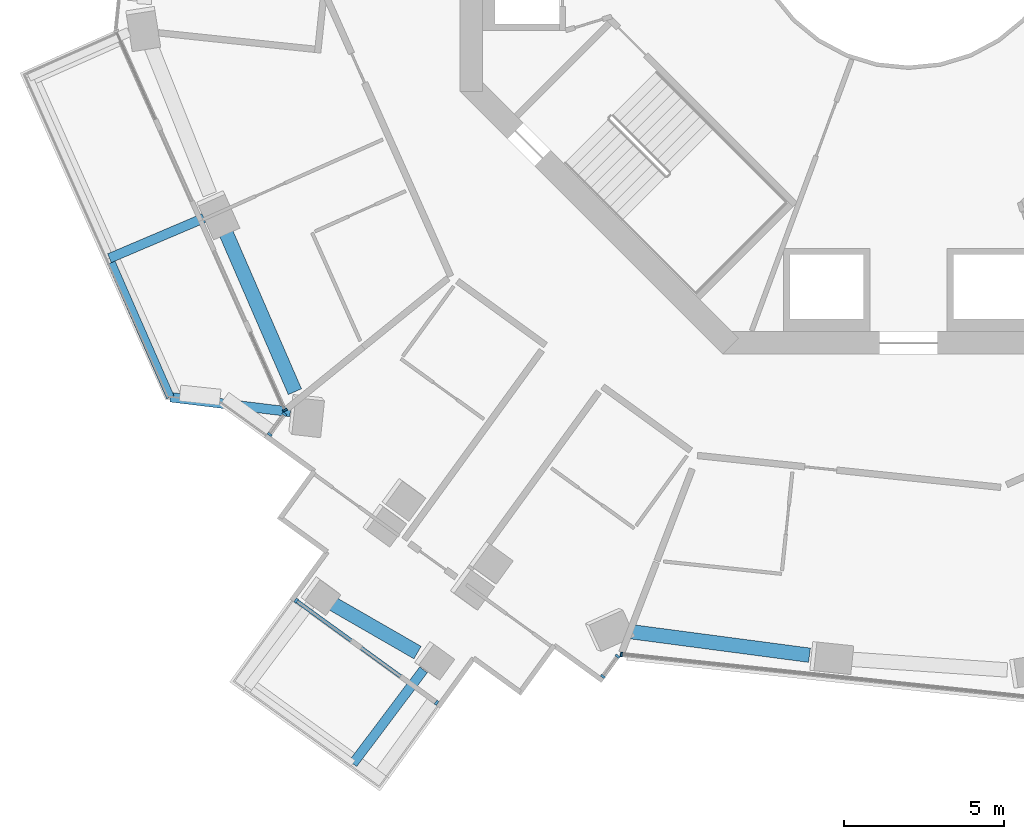
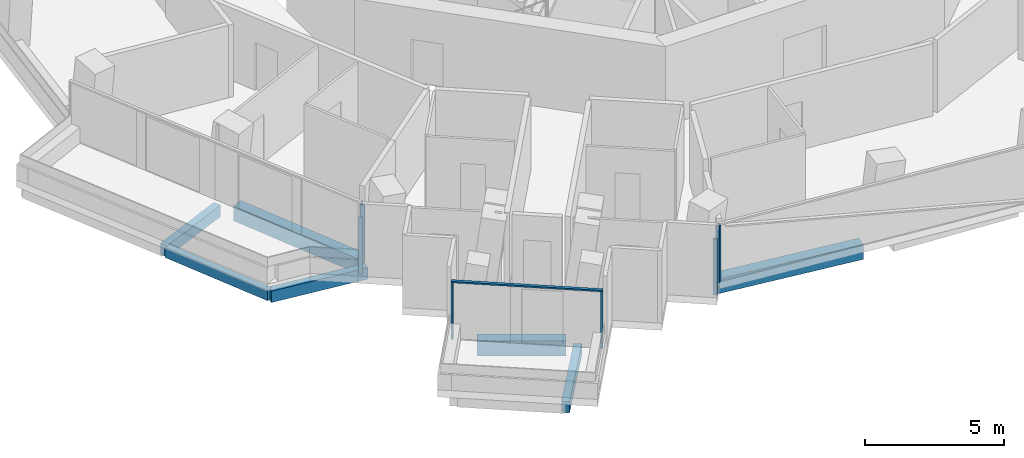
# One storey, part 2 of 23: 9 members, 7 beams, 5 elements without a shape of their own.
"""IFC4 building model written with IfcOpenShell, lengths in metres."""

from ifc_helpers import new_model, si_unit, direction, frame, origin, origin_2d, place, context, subcontext, project, spatial, rectangle, extrude, material, layer, layer_set, material_profile, profile_set, type_object, element, aggregate, save


model = new_model("IFC4")

# Units and contexts
model_context = context("Model", 3, precision=1e-05, world=origin(), true_north=direction((0.0, 1.0)))
body_context = subcontext(model_context, "Body", "Model", "MODEL_VIEW")
ifc_project = project(units=[si_unit("LENGTHUNIT", "METRE"), si_unit("AREAUNIT", "SQUARE_METRE"), si_unit("VOLUMEUNIT", "CUBIC_METRE"), si_unit("PLANEANGLEUNIT", "RADIAN"), si_unit("MASSUNIT", "GRAM", prefix="KILO")], contexts=[model_context])

# Site, building, storey
site_placement = place(None, origin())
site = spatial("IfcSite", under=ifc_project, at=site_placement, CompositionType="ELEMENT")
building_placement = place(site_placement, origin())
building = spatial("IfcBuilding", under=site, at=building_placement, Name="Verdalira Terraces Hotel", CompositionType="ELEMENT")
storey_placement = place(building_placement, frame((0.0, 0.0, 133.0)))
storey = spatial("IfcBuildingStorey", under=building, at=storey_placement, Name="L31", CompositionType="ELEMENT", Elevation=133.0)

# Beams
ifc_material_1 = material(Name="Concrete C40", Category="concrete")
ifc_material_profile_1 = material_profile(ifc_material_1, rectangle(XDim=0.300049, YDim=0.5, at=origin_2d()), Name="RC 300X500")
ifc_profile_set_1 = profile_set([ifc_material_profile_1], Name="Concrete C40")
beam_type_1 = type_object("IfcBeamType", Name="Balcony cantilever beam RC 300X500 C40", PredefinedType="BEAM", material=ifc_profile_set_1)
beam_1_placement = place(storey_placement, frame((-21.991211, -9.756104, -0.560059), z_axis=(-0.920226543, -0.39138614, 0.0), x_axis=(0.39138614, -0.920226543, 0.0)))
element("IfcBeam", 1, at=beam_1_placement, inside=storey, type_object=beam_type_1, Name="Balcony cantilever beam R13-2", PredefinedType="BEAM", context=body_context, shape_type="SweptSolid", body=[
    extrude(rectangle(XDim=0.300049, YDim=0.5, at=origin_2d()), origin(), (0.0, 0.0, 1.0), 3.200684),
])
beam_2_placement = place(storey_placement, frame((-19.29126, -15.802979, -0.560059), z_axis=(-0.99263013, 0.121183433, 0.0), x_axis=(-0.121183433, -0.99263013, 0.0)))
element("IfcBeam", 2, at=beam_2_placement, inside=storey, type_object=beam_type_1, Name="Balcony cantilever beam R13-3", PredefinedType="BEAM", context=body_context, shape_type="SweptSolid", body=[
    extrude(rectangle(XDim=0.300049, YDim=0.5, at=origin_2d()), origin(), (0.0, 0.0, 1.0), 3.773438),
])
beam_3_placement = place(storey_placement, frame((-15.136963, -23.852295, -0.560059), z_axis=(-0.601257068, -0.799055654, 0.0), x_axis=(0.799055654, -0.601257068, 0.0)))
element("IfcBeam", 3, at=beam_3_placement, inside=storey, type_object=beam_type_1, Name="Balcony cantilever beam R19-2", PredefinedType="BEAM", context=body_context, shape_type="SweptSolid", body=[
    extrude(rectangle(XDim=0.300049, YDim=0.5, at=origin_2d()), origin(), (0.0, 0.0, 1.0), 3.664551),
])
ifc_material_2 = material(Name="Concrete C40", Category="concrete")
ifc_material_profile_2 = material_profile(ifc_material_2, rectangle(XDim=0.25, YDim=0.449951, at=origin_2d()), Name="RC 250X450")
ifc_profile_set_2 = profile_set([ifc_material_profile_2], Name="Concrete C40")
beam_type_2 = type_object("IfcBeamType", Name="Balcony edge beam RC 250X450 C40", PredefinedType="BEAM", material=ifc_profile_set_2)
beam_4_placement = place(storey_placement, frame((-24.876465, -11.145996, -0.534912), z_axis=(0.401226625, -0.915978818, 0.0), x_axis=(0.915978818, 0.401226625, 0.0)))
element("IfcBeam", 4, at=beam_4_placement, inside=storey, type_object=beam_type_2, Name="Balcony edge beam R13-2", PredefinedType="BEAM", context=body_context, shape_type="SweptSolid", body=[
    extrude(rectangle(XDim=0.25, YDim=0.449951, at=origin_2d()), origin(), (0.0, 0.0, 1.0), 4.584961),
])

# Curtain wall, member
ifc_material_3 = material(Name="Clear glass", Category="glass")
ifc_layer_1 = layer(ifc_material_3, 0.14990234375)
ifc_layer_set_1 = layer_set([ifc_layer_1], Name="CW1 curtain wall")
curtain_wall_type_1 = type_object("IfcCurtainWallType", Name="CW1 curtain wall", PredefinedType="NOTDEFINED", material=ifc_layer_set_1)
curtain_wall_1_placement = place(storey_placement, origin())
curtain_wall_1 = element("IfcCurtainWall", 5, at=curtain_wall_1_placement, inside=storey, type_object=curtain_wall_type_1, Name="CW1 curtain wall L31 edge 13", PredefinedType="NOTDEFINED")
ifc_material_4 = material(Name="Terracotta frame", Category="masonry")
ifc_material_profile_3 = material_profile(ifc_material_4, rectangle(XDim=0.060059, YDim=0.149902, at=origin_2d()), Name="MU 60x150")
ifc_profile_set_3 = profile_set([ifc_material_profile_3], Name="Terracotta frame")
member_type_1 = type_object("IfcMemberType", Name="CW1 mullion 60x150", PredefinedType="MULLION", material=ifc_profile_set_3)
member_1_placement = place(storey_placement, frame((-19.460938, -15.746826, 0.0), z_axis=(0.0, 0.0, 1.0), x_axis=(0.406736643, -0.913545458, 0.0)))
member_1 = element("IfcMember", 6, at=member_1_placement, type_object=member_type_1, Name="CW1 mullion", PredefinedType="MULLION", context=body_context, shape_type="SweptSolid", body=[
    extrude(rectangle(XDim=0.060059, YDim=0.149902, at=origin_2d()), origin(), (0.0, 0.0, 1.0), 2.475098),
])
aggregate(curtain_wall_1, [member_1])

curtain_wall_2_placement = place(storey_placement, origin())
curtain_wall_2 = element("IfcCurtainWall", 7, at=curtain_wall_2_placement, inside=storey, type_object=curtain_wall_type_1, Name="CW1 curtain wall L31 edge 25", PredefinedType="NOTDEFINED")
member_2_placement = place(storey_placement, frame((-8.962402, -23.374512, 0.0), z_axis=(0.0, 0.0, 1.0), x_axis=(0.994521895, -0.104528463, 0.0)))
member_2 = element("IfcMember", 8, at=member_2_placement, type_object=member_type_1, Name="CW1 mullion", PredefinedType="MULLION", context=body_context, shape_type="SweptSolid", body=[
    extrude(rectangle(XDim=0.060059, YDim=0.149902, at=origin_2d()), origin(), (0.0, 0.0, 1.0), 2.475098),
])
aggregate(curtain_wall_2, [member_2])

# Curtain wall, members
ifc_material_5 = material(Name="Clear glass", Category="glass")
ifc_layer_2 = layer(ifc_material_5, 0.14990234375)
ifc_layer_set_2 = layer_set([ifc_layer_2], Name="CW2 curtain wall")
curtain_wall_type_2 = type_object("IfcCurtainWallType", Name="CW2 curtain wall", PredefinedType="NOTDEFINED", material=ifc_layer_set_2)
curtain_wall_3_placement = place(storey_placement, origin())
curtain_wall_3 = element("IfcCurtainWall", 9, at=curtain_wall_3_placement, inside=storey, type_object=curtain_wall_type_2, Name="CW2 curtain wall L31 edge 14", PredefinedType="NOTDEFINED")
ifc_material_6 = material(Name="Terracotta frame", Category="masonry")
ifc_material_profile_4 = material_profile(ifc_material_6, rectangle(XDim=0.070068, YDim=0.149902, at=origin_2d()), Name="MU 70x150")
ifc_profile_set_4 = profile_set([ifc_material_profile_4], Name="Terracotta frame")
member_type_2 = type_object("IfcMemberType", Name="CW2 mullion 70x150", PredefinedType="MULLION", material=ifc_profile_set_4)
member_3_placement = place(storey_placement, frame((-19.477295, -15.877197, 0.0), z_axis=(0.0, 0.0, 1.0), x_axis=(-0.587785252, -0.809016994, 0.0)))
member_3 = element("IfcMember", 10, at=member_3_placement, type_object=member_type_2, Name="CW2 mullion", PredefinedType="MULLION", context=body_context, shape_type="SweptSolid", body=[
    extrude(rectangle(XDim=0.070068, YDim=0.149902, at=origin_2d()), origin(), (0.0, 0.0, 1.0), 2.475098),
])
member_4_placement = place(storey_placement, frame((-19.935547, -16.508301, 0.0), z_axis=(0.0, 0.0, 1.0), x_axis=(-0.587785252, -0.809016994, 0.0)))
member_4 = element("IfcMember", 11, at=member_4_placement, type_object=member_type_2, Name="CW2 mullion", PredefinedType="MULLION", context=body_context, shape_type="SweptSolid", body=[
    extrude(rectangle(XDim=0.070068, YDim=0.149902, at=origin_2d()), origin(), (0.0, 0.0, 1.0), 2.475098),
])
aggregate(curtain_wall_3, [member_3, member_4])

curtain_wall_4_placement = place(storey_placement, origin())
curtain_wall_4 = element("IfcCurtainWall", 12, at=curtain_wall_4_placement, inside=storey, type_object=curtain_wall_type_2, Name="CW2 curtain wall L31 edge 24", PredefinedType="NOTDEFINED")
member_5_placement = place(storey_placement, frame((-9.539795, -24.061279, 0.0), z_axis=(0.0, 0.0, 1.0), x_axis=(0.587785252, 0.809016994, 0.0)))
member_5 = element("IfcMember", 13, at=member_5_placement, type_object=member_type_2, Name="CW2 mullion", PredefinedType="MULLION", context=body_context, shape_type="SweptSolid", body=[
    extrude(rectangle(XDim=0.070068, YDim=0.149902, at=origin_2d()), origin(), (0.0, 0.0, 1.0), 2.475098),
])
member_6_placement = place(storey_placement, frame((-9.081299, -23.430176, 0.0), z_axis=(0.0, 0.0, 1.0), x_axis=(0.587785252, 0.809016994, 0.0)))
member_6 = element("IfcMember", 14, at=member_6_placement, type_object=member_type_2, Name="CW2 mullion", PredefinedType="MULLION", context=body_context, shape_type="SweptSolid", body=[
    extrude(rectangle(XDim=0.070068, YDim=0.149902, at=origin_2d()), origin(), (0.0, 0.0, 1.0), 2.475098),
])
aggregate(curtain_wall_4, [member_5, member_6])

ifc_material_7 = material(Name="Clear glass", Category="glass")
ifc_layer_3 = layer(ifc_material_7, 0.14990234375)
ifc_layer_set_3 = layer_set([ifc_layer_3], Name="CW3 curtain wall")
curtain_wall_type_3 = type_object("IfcCurtainWallType", Name="CW3 curtain wall", PredefinedType="NOTDEFINED", material=ifc_layer_set_3)
curtain_wall_5_placement = place(storey_placement, origin())
curtain_wall_5 = element("IfcCurtainWall", 15, at=curtain_wall_5_placement, inside=storey, type_object=curtain_wall_type_3, Name="CW3 curtain wall L31 edge 19", PredefinedType="NOTDEFINED")
ifc_material_8 = material(Name="Terracotta frame", Category="masonry")
ifc_material_profile_5 = material_profile(ifc_material_8, rectangle(XDim=0.080078, YDim=0.149902, at=origin_2d()), Name="MU 80x150")
ifc_profile_set_5 = profile_set([ifc_material_profile_5], Name="Terracotta frame")
member_type_3 = type_object("IfcMemberType", Name="CW3 mullion 80x150", PredefinedType="MULLION", material=ifc_profile_set_5)
member_7_placement = place(storey_placement, frame((-19.11084, -21.693359, 0.0), z_axis=(0.0, 0.0, 1.0), x_axis=(0.809016994, -0.587785252, 0.0)))
member_7 = element("IfcMember", 16, at=member_7_placement, type_object=member_type_3, Name="CW3 mullion", PredefinedType="MULLION", context=body_context, shape_type="SweptSolid", body=[
    extrude(rectangle(XDim=0.080078, YDim=0.149902, at=origin_2d()), origin(), (0.0, 0.0, 1.0), 2.475098),
])
member_8_placement = place(storey_placement, frame((-14.726074, -24.87915, 0.0), z_axis=(0.0, 0.0, 1.0), x_axis=(0.809016994, -0.587785252, 0.0)))
member_8 = element("IfcMember", 17, at=member_8_placement, type_object=member_type_3, Name="CW3 mullion", PredefinedType="MULLION", context=body_context, shape_type="SweptSolid", body=[
    extrude(rectangle(XDim=0.080078, YDim=0.149902, at=origin_2d()), origin(), (0.0, 0.0, 1.0), 2.475098),
])
ifc_material_9 = material(Name="Terracotta frame", Category="masonry")
ifc_material_profile_6 = material_profile(ifc_material_9, rectangle(XDim=0.120117, YDim=0.064941, at=origin_2d()), Name="TR 65x120")
ifc_profile_set_6 = profile_set([ifc_material_profile_6], Name="Terracotta frame")
member_type_4 = type_object("IfcMemberType", Name="CW3 transom 65x120", PredefinedType="USERDEFINED", material=ifc_profile_set_6)
member_9_placement = place(storey_placement, frame((-19.143311, -21.669678, 2.507568), z_axis=(0.809016237, -0.587786295, 0.0), x_axis=(0.587786295, 0.809016237, 0.0)))
member_9 = element("IfcMember", 18, at=member_9_placement, type_object=member_type_4, Name="CW3 transom", ObjectType="TRANSOM", PredefinedType="USERDEFINED", context=body_context, shape_type="SweptSolid", body=[
    extrude(rectangle(XDim=0.120117, YDim=0.064941, at=origin_2d()), origin(), (0.0, 0.0, 1.0), 5.500244),
])
aggregate(curtain_wall_5, [member_7, member_8, member_9])

# Beams
ifc_material_10 = material(Name="Concrete C50", Category="concrete")
ifc_material_profile_7 = material_profile(ifc_material_10, rectangle(XDim=0.449951, YDim=0.649902, at=origin_2d()), Name="RC 450X650")
ifc_profile_set_7 = profile_set([ifc_material_profile_7], Name="Concrete C50")
beam_type_3 = type_object("IfcBeamType", Name="Spandrel beam RC 450X650 C50", PredefinedType="SPANDREL", material=ifc_profile_set_7)
beam_5_placement = place(storey_placement, frame((-21.357178, -10.086914, -0.63501), z_axis=(0.398102906, -0.917340763, 0.0), x_axis=(0.917340763, 0.398102906, 0.0)))
element("IfcBeam", 19, at=beam_5_placement, inside=storey, type_object=beam_type_3, Name="Spandrel beam B07", PredefinedType="SPANDREL", context=body_context, shape_type="SweptSolid", body=[
    extrude(rectangle(XDim=0.449951, YDim=0.649902, at=origin_2d()), origin(), (0.0, 0.0, 1.0), 5.544434),
])
beam_6_placement = place(storey_placement, frame((-18.0896, -21.721191, -0.63501), z_axis=(0.86656733, -0.499060179, 0.0), x_axis=(0.499060179, 0.86656733, 0.0)))
element("IfcBeam", 20, at=beam_6_placement, inside=storey, type_object=beam_type_3, Name="Spandrel beam B08", PredefinedType="SPANDREL", context=body_context, shape_type="SweptSolid", body=[
    extrude(rectangle(XDim=0.449951, YDim=0.649902, at=origin_2d()), origin(), (0.0, 0.0, 1.0), 3.192139),
])
beam_7_placement = place(storey_placement, frame((-8.715332, -22.655518, -0.63501), z_axis=(0.991407791, -0.130807462, 0.0), x_axis=(0.130807462, 0.991407791, 0.0)))
element("IfcBeam", 21, at=beam_7_placement, inside=storey, type_object=beam_type_3, Name="Spandrel beam B09", PredefinedType="SPANDREL", context=body_context, shape_type="SweptSolid", body=[
    extrude(rectangle(XDim=0.449951, YDim=0.649902, at=origin_2d()), origin(), (0.0, 0.0, 1.0), 5.672119),
])

save(model, "model.ifc")
